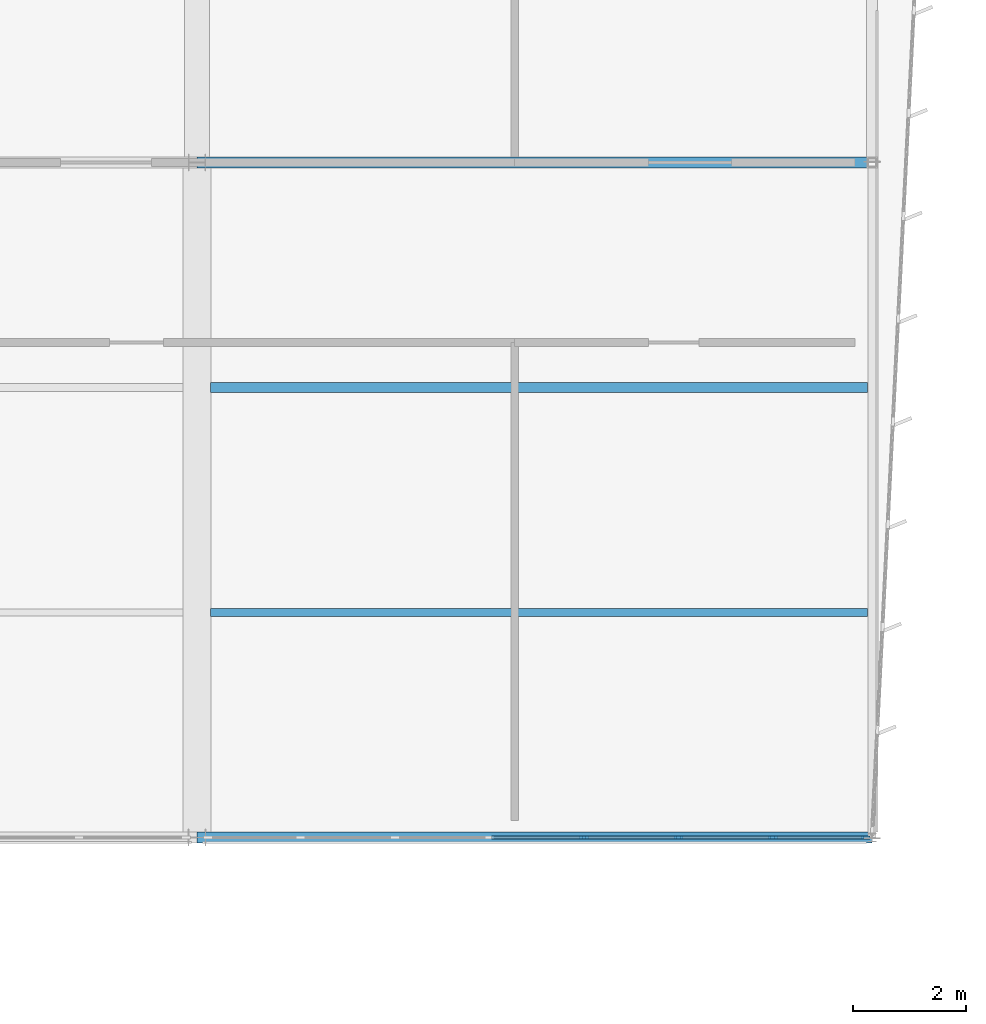
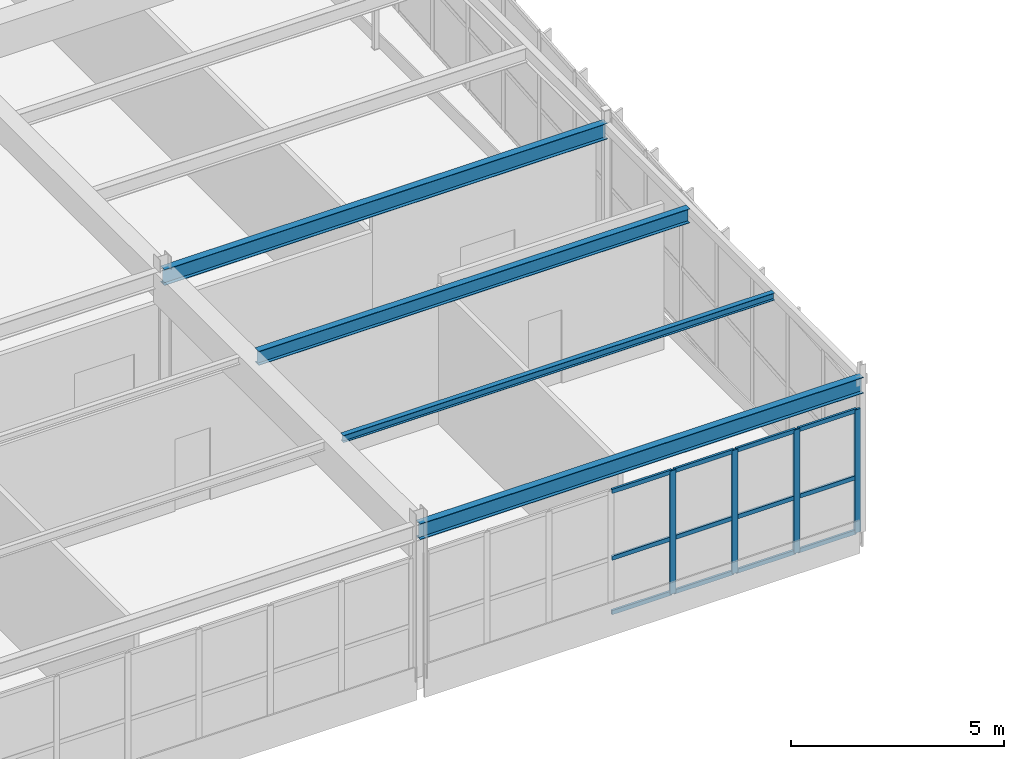
# One storey, part 124 of 226: 16 members, 4 beams, 1 element without a shape of its own.
"""IFC4 building model written with IfcOpenShell, lengths in metres."""

from ifc_helpers import new_model, si_unit, direction, frame, origin, origin_2d, place, context, subcontext, project, spatial, rectangle, i_section, extrude, material, layer, layer_set, material_profile, profile_set, type_object, element, aggregate, save


model = new_model("IFC4")

# Units and contexts
model_context = context("Model", 3, precision=1e-05, world=origin(), true_north=direction((0.0, 1.0)))
body_context = subcontext(model_context, "Body", "Model", "MODEL_VIEW")
ifc_project = project(units=[si_unit("LENGTHUNIT", "METRE"), si_unit("AREAUNIT", "SQUARE_METRE"), si_unit("VOLUMEUNIT", "CUBIC_METRE"), si_unit("PLANEANGLEUNIT", "RADIAN"), si_unit("MASSUNIT", "GRAM", prefix="KILO")], contexts=[model_context])

# Site, building, storey
site_placement = place(None, origin())
site = spatial("IfcSite", under=ifc_project, at=site_placement, CompositionType="ELEMENT")
building_placement = place(site_placement, origin())
building = spatial("IfcBuilding", under=site, at=building_placement, Name="Tarnwether General Hospital", CompositionType="ELEMENT")
storey_placement = place(building_placement, frame((0.0, 0.0, 4.800048828125)))
storey = spatial("IfcBuildingStorey", under=building, at=storey_placement, Name="L01", CompositionType="ELEMENT", Elevation=4.800048828125)

# Beams
ifc_material_1 = material(Name="Steel Grade 350 (350 MPa)", Category="steel")
ifc_material_profile_1 = material_profile(ifc_material_1, i_section(OverallWidth=0.18994140625, OverallDepth=0.45703125, WebThickness=0.009033203125, FlangeThickness=0.014404296875, at=origin_2d()), Name="460UB74.6")
ifc_profile_set_1 = profile_set([ifc_material_profile_1], Name="Steel Grade 350 (350 MPa)")
beam_type_1 = type_object("IfcBeamType", Name="BM-G09", PredefinedType="BEAM", material=ifc_profile_set_1)
beam_1_placement = place(storey_placement, frame((180.0, 81.60009765625, 4.216552734375), z_axis=(1.0, 0.0, 0.0), x_axis=(0.0, 1.0, 0.0)))
element("IfcBeam", 1, at=beam_1_placement, inside=storey, type_object=beam_type_1, Name="Primary Girder BMG-L01-18000_8160-19200_8160-1274", PredefinedType="BEAM", context=body_context, shape_type="SweptSolid", body=[
    extrude(i_section(OverallWidth=0.18994140625, OverallDepth=0.45703125, WebThickness=0.009033203125, FlangeThickness=0.014404296875, at=origin_2d()), origin(), (0.0, 0.0, 1.0), 12.0),
])
ifc_material_2 = material(Name="Steel Grade 350 (350 MPa)", Category="steel")
ifc_material_profile_2 = material_profile(ifc_material_2, i_section(OverallWidth=0.18994140625, OverallDepth=0.4541015625, WebThickness=0.008544921875, FlangeThickness=0.0126953125, at=origin_2d()), Name="460UB67.1")
ifc_profile_set_2 = profile_set([ifc_material_profile_2], Name="Steel Grade 350 (350 MPa)")
beam_type_2 = type_object("IfcBeamType", Name="BM-G10", PredefinedType="BEAM", material=ifc_profile_set_2)
beam_2_placement = place(storey_placement, frame((180.0, 93.60009765625, 4.218017578125), z_axis=(1.0, 0.0, 0.0), x_axis=(0.0, 1.0, 0.0)))
element("IfcBeam", 2, at=beam_2_placement, inside=storey, type_object=beam_type_2, Name="Primary Girder BMG-L01-18000_9360-19200_9360-1276", PredefinedType="BEAM", context=body_context, shape_type="SweptSolid", body=[
    extrude(i_section(OverallWidth=0.18994140625, OverallDepth=0.4541015625, WebThickness=0.008544921875, FlangeThickness=0.0126953125, at=origin_2d()), origin(), (0.0, 0.0, 1.0), 12.0),
])
ifc_material_3 = material(Name="Steel Grade 350 (350 MPa)", Category="steel")
ifc_material_profile_3 = material_profile(ifc_material_3, i_section(OverallWidth=0.177978515625, OverallDepth=0.406005859375, WebThickness=0.0078125, FlangeThickness=0.0126953125, at=origin_2d()), Name="410UB59.7")
ifc_profile_set_3 = profile_set([ifc_material_profile_3], Name="Steel Grade 350 (350 MPa)")
beam_type_3 = type_object("IfcBeamType", Name="BM-J01", PredefinedType="JOIST", material=ifc_profile_set_3)
beam_3_placement = place(storey_placement, frame((180.243896484375, 89.60009765625, 4.241943359375), z_axis=(1.0, 0.0, 0.0), x_axis=(0.0, 1.0, 0.0)))
element("IfcBeam", 3, at=beam_3_placement, inside=storey, type_object=beam_type_3, Name="Composite Floor Joist BMG-L01-18024_8960-19192_8960-1434", PredefinedType="JOIST", context=body_context, shape_type="SweptSolid", body=[
    extrude(i_section(OverallWidth=0.177978515625, OverallDepth=0.406005859375, WebThickness=0.0078125, FlangeThickness=0.0126953125, at=origin_2d()), origin(), (0.0, 0.0, 1.0), 11.676025390625),
])
ifc_material_4 = material(Name="Steel Grade 350 (350 MPa)", Category="steel")
ifc_material_profile_4 = material_profile(ifc_material_4, i_section(OverallWidth=0.134033203125, OverallDepth=0.20703125, WebThickness=0.00634765625, FlangeThickness=0.009521484375, at=origin_2d()), Name="200UB29.8")
ifc_profile_set_4 = profile_set([ifc_material_profile_4], Name="Steel Grade 350 (350 MPa)")
beam_type_4 = type_object("IfcBeamType", Name="BM-J12", PredefinedType="JOIST", material=ifc_profile_set_4)
beam_4_placement = place(storey_placement, frame((180.243896484375, 85.60009765625, 4.341552734375), z_axis=(1.0, 0.0, 0.0), x_axis=(0.0, 1.0, 0.0)))
element("IfcBeam", 4, at=beam_4_placement, inside=storey, type_object=beam_type_4, Name="Composite Floor Joist BMG-L01-18024_8560-19192_8560-1433", PredefinedType="JOIST", context=body_context, shape_type="SweptSolid", body=[
    extrude(i_section(OverallWidth=0.134033203125, OverallDepth=0.20703125, WebThickness=0.00634765625, FlangeThickness=0.009521484375, at=origin_2d()), origin(), (0.0, 0.0, 1.0), 11.676025390625),
])

# Curtain wall, members
ifc_material_5 = material(Name="Anodised aluminium", Category="aluminium")
ifc_layer = layer(ifc_material_5, 0.159912109375)
ifc_layer_set = layer_set([ifc_layer], Name="Anodised aluminium")
curtain_wall_type = type_object("IfcCurtainWallType", Name="CW-17", PredefinedType="NOTDEFINED", material=ifc_layer_set)
curtain_wall_placement = place(storey_placement, origin())
curtain_wall = element("IfcCurtainWall", 5, at=curtain_wall_placement, inside=storey, type_object=curtain_wall_type, Name="Curtain Wall CWG-L01-1919_816-0393", PredefinedType="NOTDEFINED")
ifc_material_6 = material(Name="Anodised aluminium", Category="aluminium")
ifc_material_profile_5 = material_profile(ifc_material_6, rectangle(XDim=0.06005859375, YDim=0.159912109375, at=origin_2d()), Name="ALU-MUL-60x160")
ifc_profile_set_5 = profile_set([ifc_material_profile_5], Name="Anodised aluminium")
member_type_1 = type_object("IfcMemberType", Name="CW-ML1", PredefinedType="MULLION", material=ifc_profile_set_5)
member_1_placement = place(storey_placement, frame((191.885986328125, 81.60009765625, 0.0), z_axis=(0.0, 0.0, 1.0), x_axis=(0.0, -1.0, 0.0)))
member_1 = element("IfcMember", 6, at=member_1_placement, type_object=member_type_1, Name="CW-17 mullion 1", PredefinedType="MULLION", context=body_context, shape_type="SweptSolid", body=[
    extrude(rectangle(XDim=0.06005859375, YDim=0.159912109375, at=origin_2d()), origin(), (0.0, 0.0, 1.0), 3.530029296875),
])
member_2_placement = place(storey_placement, frame((190.237548828125, 81.60009765625, 0.0), z_axis=(0.0, 0.0, 1.0), x_axis=(0.0, -1.0, 0.0)))
member_2 = element("IfcMember", 7, at=member_2_placement, type_object=member_type_1, Name="CW-17 mullion 2", PredefinedType="MULLION", context=body_context, shape_type="SweptSolid", body=[
    extrude(rectangle(XDim=0.06005859375, YDim=0.159912109375, at=origin_2d()), origin(), (0.0, 0.0, 1.0), 3.530029296875),
])
member_3_placement = place(storey_placement, frame((188.558837890625, 81.60009765625, 0.0), z_axis=(0.0, 0.0, 1.0), x_axis=(0.0, -1.0, 0.0)))
member_3 = element("IfcMember", 8, at=member_3_placement, type_object=member_type_1, Name="CW-17 mullion 3", PredefinedType="MULLION", context=body_context, shape_type="SweptSolid", body=[
    extrude(rectangle(XDim=0.06005859375, YDim=0.159912109375, at=origin_2d()), origin(), (0.0, 0.0, 1.0), 3.530029296875),
])
member_4_placement = place(storey_placement, frame((186.88037109375, 81.60009765625, 0.0), z_axis=(0.0, 0.0, 1.0), x_axis=(0.0, -1.0, 0.0)))
member_4 = element("IfcMember", 9, at=member_4_placement, type_object=member_type_1, Name="CW-17 mullion 4", PredefinedType="MULLION", context=body_context, shape_type="SweptSolid", body=[
    extrude(rectangle(XDim=0.06005859375, YDim=0.159912109375, at=origin_2d()), origin(), (0.0, 0.0, 1.0), 3.530029296875),
])
ifc_material_7 = material(Name="Anodised aluminium", Category="aluminium")
ifc_material_profile_6 = material_profile(ifc_material_7, rectangle(XDim=0.06005859375, YDim=0.1201171875, at=origin_2d()), Name="ALU-TRN-60x120")
ifc_profile_set_6 = profile_set([ifc_material_profile_6], Name="Anodised aluminium")
member_type_2 = type_object("IfcMemberType", Name="CW-TR1", PredefinedType="USERDEFINED", material=ifc_profile_set_6)
member_5_placement = place(storey_placement, frame((191.85595703125, 81.60009765625, 0.030029296875), z_axis=(-1.0, 0.0, 0.0), x_axis=(0.0, -1.0, 0.0)))
member_5 = element("IfcMember", 10, at=member_5_placement, type_object=member_type_2, Name="CW-17 transom 1.1", ObjectType="TRANSOM", PredefinedType="USERDEFINED", context=body_context, shape_type="SweptSolid", body=[
    extrude(rectangle(XDim=0.06005859375, YDim=0.1201171875, at=origin_2d()), origin(), (0.0, 0.0, 1.0), 1.588623046875),
])
member_6_placement = place(storey_placement, frame((191.85595703125, 81.60009765625, 1.58837890625), z_axis=(-1.0, 0.0, 0.0), x_axis=(0.0, -1.0, 0.0)))
member_6 = element("IfcMember", 11, at=member_6_placement, type_object=member_type_2, Name="CW-17 transom 1.2", ObjectType="TRANSOM", PredefinedType="USERDEFINED", context=body_context, shape_type="SweptSolid", body=[
    extrude(rectangle(XDim=0.06005859375, YDim=0.1201171875, at=origin_2d()), origin(), (0.0, 0.0, 1.0), 1.588623046875),
])
member_7_placement = place(storey_placement, frame((191.85595703125, 81.60009765625, 3.5), z_axis=(-1.0, 0.0, 0.0), x_axis=(0.0, -1.0, 0.0)))
member_7 = element("IfcMember", 12, at=member_7_placement, type_object=member_type_2, Name="CW-17 transom 1.3", ObjectType="TRANSOM", PredefinedType="USERDEFINED", context=body_context, shape_type="SweptSolid", body=[
    extrude(rectangle(XDim=0.06005859375, YDim=0.1201171875, at=origin_2d()), origin(), (0.0, 0.0, 1.0), 1.588623046875),
])
member_8_placement = place(storey_placement, frame((190.20751953125, 81.60009765625, 0.030029296875), z_axis=(-1.0, 0.0, 0.0), x_axis=(0.0, -1.0, 0.0)))
member_8 = element("IfcMember", 13, at=member_8_placement, type_object=member_type_2, Name="CW-17 transom 2.1", ObjectType="TRANSOM", PredefinedType="USERDEFINED", context=body_context, shape_type="SweptSolid", body=[
    extrude(rectangle(XDim=0.06005859375, YDim=0.1201171875, at=origin_2d()), origin(), (0.0, 0.0, 1.0), 1.61865234375),
])
member_9_placement = place(storey_placement, frame((190.20751953125, 81.60009765625, 1.58837890625), z_axis=(-1.0, 0.0, 0.0), x_axis=(0.0, -1.0, 0.0)))
member_9 = element("IfcMember", 14, at=member_9_placement, type_object=member_type_2, Name="CW-17 transom 2.2", ObjectType="TRANSOM", PredefinedType="USERDEFINED", context=body_context, shape_type="SweptSolid", body=[
    extrude(rectangle(XDim=0.06005859375, YDim=0.1201171875, at=origin_2d()), origin(), (0.0, 0.0, 1.0), 1.61865234375),
])
member_10_placement = place(storey_placement, frame((190.20751953125, 81.60009765625, 3.5), z_axis=(-1.0, 0.0, 0.0), x_axis=(0.0, -1.0, 0.0)))
member_10 = element("IfcMember", 15, at=member_10_placement, type_object=member_type_2, Name="CW-17 transom 2.3", ObjectType="TRANSOM", PredefinedType="USERDEFINED", context=body_context, shape_type="SweptSolid", body=[
    extrude(rectangle(XDim=0.06005859375, YDim=0.1201171875, at=origin_2d()), origin(), (0.0, 0.0, 1.0), 1.61865234375),
])
member_11_placement = place(storey_placement, frame((188.52880859375, 81.60009765625, 0.030029296875), z_axis=(-1.0, 0.0, 0.0), x_axis=(0.0, -1.0, 0.0)))
member_11 = element("IfcMember", 16, at=member_11_placement, type_object=member_type_2, Name="CW-17 transom 3.1", ObjectType="TRANSOM", PredefinedType="USERDEFINED", context=body_context, shape_type="SweptSolid", body=[
    extrude(rectangle(XDim=0.06005859375, YDim=0.1201171875, at=origin_2d()), origin(), (0.0, 0.0, 1.0), 1.618408203125),
])
member_12_placement = place(storey_placement, frame((188.52880859375, 81.60009765625, 1.58837890625), z_axis=(-1.0, 0.0, 0.0), x_axis=(0.0, -1.0, 0.0)))
member_12 = element("IfcMember", 17, at=member_12_placement, type_object=member_type_2, Name="CW-17 transom 3.2", ObjectType="TRANSOM", PredefinedType="USERDEFINED", context=body_context, shape_type="SweptSolid", body=[
    extrude(rectangle(XDim=0.06005859375, YDim=0.1201171875, at=origin_2d()), origin(), (0.0, 0.0, 1.0), 1.618408203125),
])
member_13_placement = place(storey_placement, frame((188.52880859375, 81.60009765625, 3.5), z_axis=(-1.0, 0.0, 0.0), x_axis=(0.0, -1.0, 0.0)))
member_13 = element("IfcMember", 18, at=member_13_placement, type_object=member_type_2, Name="CW-17 transom 3.3", ObjectType="TRANSOM", PredefinedType="USERDEFINED", context=body_context, shape_type="SweptSolid", body=[
    extrude(rectangle(XDim=0.06005859375, YDim=0.1201171875, at=origin_2d()), origin(), (0.0, 0.0, 1.0), 1.618408203125),
])
member_14_placement = place(storey_placement, frame((186.850341796875, 81.60009765625, 0.030029296875), z_axis=(-1.0, 0.0, 0.0), x_axis=(0.0, -1.0, 0.0)))
member_14 = element("IfcMember", 19, at=member_14_placement, type_object=member_type_2, Name="CW-17 transom 4.1", ObjectType="TRANSOM", PredefinedType="USERDEFINED", context=body_context, shape_type="SweptSolid", body=[
    extrude(rectangle(XDim=0.06005859375, YDim=0.1201171875, at=origin_2d()), origin(), (0.0, 0.0, 1.0), 1.61865234375),
])
member_15_placement = place(storey_placement, frame((186.850341796875, 81.60009765625, 1.58837890625), z_axis=(-1.0, 0.0, 0.0), x_axis=(0.0, -1.0, 0.0)))
member_15 = element("IfcMember", 20, at=member_15_placement, type_object=member_type_2, Name="CW-17 transom 4.2", ObjectType="TRANSOM", PredefinedType="USERDEFINED", context=body_context, shape_type="SweptSolid", body=[
    extrude(rectangle(XDim=0.06005859375, YDim=0.1201171875, at=origin_2d()), origin(), (0.0, 0.0, 1.0), 1.61865234375),
])
member_16_placement = place(storey_placement, frame((186.850341796875, 81.60009765625, 3.5), z_axis=(-1.0, 0.0, 0.0), x_axis=(0.0, -1.0, 0.0)))
member_16 = element("IfcMember", 21, at=member_16_placement, type_object=member_type_2, Name="CW-17 transom 4.3", ObjectType="TRANSOM", PredefinedType="USERDEFINED", context=body_context, shape_type="SweptSolid", body=[
    extrude(rectangle(XDim=0.06005859375, YDim=0.1201171875, at=origin_2d()), origin(), (0.0, 0.0, 1.0), 1.61865234375),
])
aggregate(curtain_wall, [member_1, member_2, member_3, member_4, member_5, member_6, member_7, member_8, member_9, member_10, member_11, member_12, member_13, member_14, member_15, member_16])

save(model, "model.ifc")
